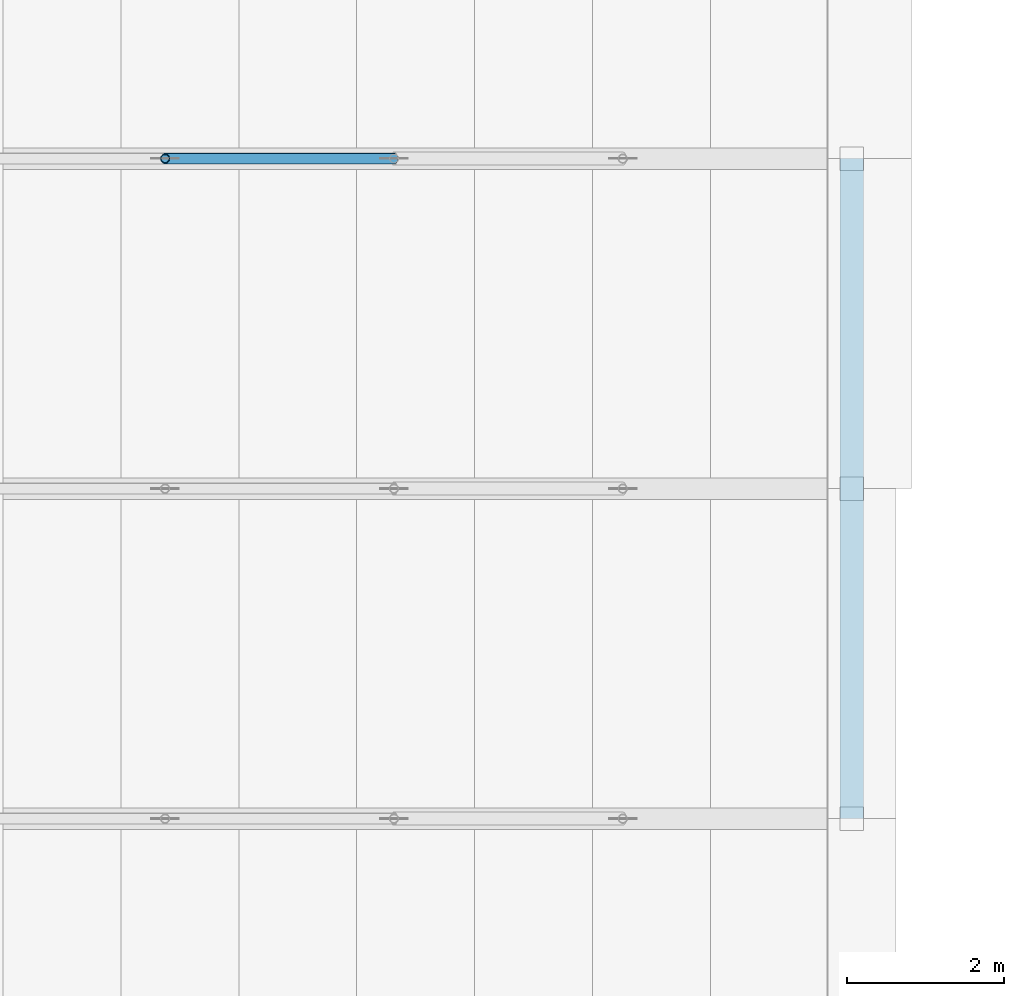
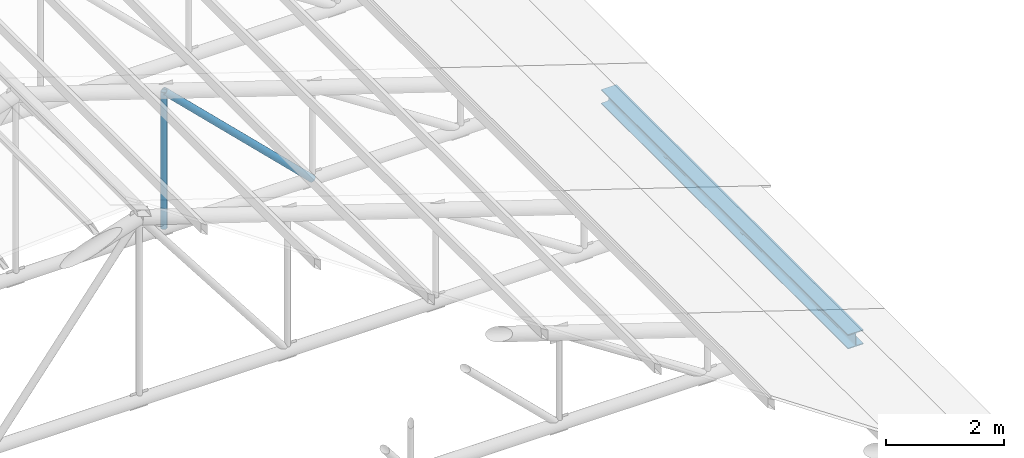
# One storey, part 30 of 95: 2 members, 1 beam.
"""IFC4 building model written with IfcOpenShell, lengths in metres."""

import ifcopenshell
import ifcopenshell.guid

model = None  # the IFC model being written
_history = None  # IfcOwnerHistory: only IFC2X3 demands one
_inside = {}  # id of a spatial element -> (the spatial element, [elements in it])
_under = {}  # id of a project, library or spatial element -> (it, [spatial elements below it])
_declared = {}  # id of a project -> (the project, [libraries it declares])
_typed = {}  # id of a type object -> (the type object, [elements of that type])
_made_of = {}  # id of a material, layer set ... -> (it, [elements and type objects made of it])


def new_model(schema):
    """Start an empty IFC model of exactly this schema.

    Asked for "IFC4X3", IfcOpenShell would pick the latest addendum, in which some entities
    have other attributes; the version numbers below select the first issue.
    IFC2X3 requires an IfcOwnerHistory on every rooted entity: one is made here for all.
    """
    global model, _history
    if schema == "IFC4X3":
        model = ifcopenshell.file(schema_version=(4, 3, 0, 0))
    else:
        model = ifcopenshell.file(schema=schema)
    _inside.clear()
    _under.clear()
    _declared.clear()
    _typed.clear()
    _made_of.clear()
    _history = None
    if model.schema == "IFC2X3":
        org = make("IfcOrganization", Name="unknown")
        user = make(
            "IfcPersonAndOrganization",
            ThePerson=make("IfcPerson", FamilyName="unknown"),
            TheOrganization=org,
        )
        app = make(
            "IfcApplication",
            ApplicationDeveloper=org,
            Version="unknown",
            ApplicationFullName="unknown",
            ApplicationIdentifier="unknown",
        )
        _history = make(
            "IfcOwnerHistory",
            OwningUser=user,
            OwningApplication=app,
            ChangeAction="ADDED",
            CreationDate=0,
        )
    return model


def make(cls, **values):
    """One entity of the class cls with the attributes given. An attribute that is None is left unset."""
    return model.create_entity(
        cls, **{name: value for name, value in values.items() if value is not None}
    )


def rooted(cls, **values):
    """An entity with a GlobalId (a new one), such as an element, a storey or a relation."""
    return make(cls, GlobalId=ifcopenshell.guid.new(), OwnerHistory=_history, **values)


def si_unit(unit_type, name, prefix=None):
    """IfcSIUnit, for example si_unit("LENGTHUNIT", "METRE", prefix="MILLI")."""
    return make("IfcSIUnit", UnitType=unit_type, Prefix=prefix, Name=name)


def assignment(units):
    """IfcUnitAssignment: the units of a project."""
    return None if units is None else make("IfcUnitAssignment", Units=units)


def point(xyz):
    """IfcCartesianPoint."""
    return None if xyz is None else make("IfcCartesianPoint", Coordinates=xyz)


def direction(xyz):
    """IfcDirection."""
    return None if xyz is None else make("IfcDirection", DirectionRatios=xyz)


def frame(location, z_axis=None, x_axis=None):
    """IfcAxis2Placement3D, a coordinate frame: its origin and axes. An axis left out is left unset."""
    return make(
        "IfcAxis2Placement3D",
        Location=point(location),
        Axis=direction(z_axis),
        RefDirection=direction(x_axis),
    )


def frame_2d(location, x_axis=None):
    """IfcAxis2Placement2D, a coordinate frame in the plane: its origin and x axis."""
    return make(
        "IfcAxis2Placement2D", Location=point(location), RefDirection=direction(x_axis)
    )


def origin():
    """The frame at (0, 0, 0) with its axes left unset."""
    return frame((0.0, 0.0, 0.0))


def origin_2d():
    """The frame at (0, 0) in the plane with its x axis left unset."""
    return frame_2d((0.0, 0.0))


def place(relative_to, where):
    """IfcLocalPlacement: puts the frame where relative to a parent placement (None: the world)."""
    return make(
        "IfcLocalPlacement", PlacementRelTo=relative_to, RelativePlacement=where
    )


def context(
    kind, dimensions, precision=None, world=None, true_north=None, identifier=None
):
    """IfcGeometricRepresentationContext, for example the 3D "Model" context."""
    return make(
        "IfcGeometricRepresentationContext",
        ContextIdentifier=identifier,
        ContextType=kind,
        CoordinateSpaceDimension=dimensions,
        Precision=precision,
        WorldCoordinateSystem=world,
        TrueNorth=true_north,
    )


def subcontext(parent, identifier, kind, view, scale=None):
    """IfcGeometricRepresentationSubContext, for example "Body" below "Model"."""
    return make(
        "IfcGeometricRepresentationSubContext",
        ContextIdentifier=identifier,
        ContextType=kind,
        ParentContext=parent,
        TargetScale=scale,
        TargetView=view,
    )


def project(units=None, contexts=None):
    """IfcProject with its units and contexts."""
    return rooted(
        "IfcProject",
        Name="project",
        RepresentationContexts=contexts,
        UnitsInContext=assignment(units),
    )


def spatial(cls, under=None, at=None, **own):
    """A site, building, storey or space (cls), placed at a placement, below another one or the project."""
    s = rooted(cls, ObjectPlacement=at, **own)
    if under is not None:
        _under.setdefault(under.id(), (under, []))[1].append(s)
    return s


def profile(cls, at=None, kind="AREA", **sizes):
    """A parametric profile (cls). Its sizes go by their IFC names, for example OverallWidth=200.0."""
    return make(cls, ProfileType=kind, Position=at, **sizes)


def hollow_circle(**sizes):
    """IfcCircleHollowProfileDef."""
    return profile("IfcCircleHollowProfileDef", **sizes)


def i_section(**sizes):
    """IfcIShapeProfileDef."""
    return profile("IfcIShapeProfileDef", **sizes)


def extrude(swept, where, along, depth):
    """IfcExtrudedAreaSolid: the profile swept, set in the frame where, extruded along a direction by depth."""
    return make(
        "IfcExtrudedAreaSolid",
        SweptArea=swept,
        Position=where,
        ExtrudedDirection=direction(along),
        Depth=depth,
    )


def shape(context_of_items, identifier, shape_type, items):
    """IfcShapeRepresentation: the items that make up one representation, for example the "Body"."""
    return make(
        "IfcShapeRepresentation",
        ContextOfItems=context_of_items,
        RepresentationIdentifier=identifier,
        RepresentationType=shape_type,
        Items=items,
    )


def material(Name=None, Category=None):
    """IfcMaterial."""
    return make("IfcMaterial", Name=Name, Category=Category)


def material_profile(
    of_material, cross_section, Name=None, Category=None, Priority=None
):
    """IfcMaterialProfile: a cross section and its material."""
    return make(
        "IfcMaterialProfile",
        Name=Name,
        Material=of_material,
        Profile=cross_section,
        Priority=Priority,
        Category=Category,
    )


def profile_set(profiles, Name=None, composite=None):
    """IfcMaterialProfileSet."""
    return make(
        "IfcMaterialProfileSet",
        Name=Name,
        MaterialProfiles=profiles,
        CompositeProfile=composite,
    )


def made_of(thing, what):
    """Note that an element or type object is made of a material, layer set ...; save() writes the relation."""
    if what is not None:
        _made_of.setdefault(what.id(), (what, []))[1].append(thing)
    return thing


def type_object(cls, material=None, **own):
    """A type object (cls), such as IfcWallType, which elements share."""
    return made_of(rooted(cls, **own), material)


def element(
    cls,
    number,
    at=None,
    inside=None,
    cuts=None,
    type_object=None,
    material=None,
    context=None,
    identifier="Body",
    shape_type=None,
    held_by="IfcProductDefinitionShape",
    body=None,
    shapes=None,
    **own,
):
    """One element of the class cls, such as IfcWall. Its Tag is "e" and its number.

    at: its placement. inside: the storey or other place that contains it. cuts: it is an
    opening in that element (IfcRelVoidsElement). A single representation is given by context,
    identifier, shape_type and body (its items); several are given by shapes. held_by: the class
    of the entity that holds the representations. save() writes the other relations.
    """
    e = rooted(cls, Tag="e%d" % number, ObjectPlacement=at, **own)
    if body is not None:
        shapes = [shape(context, identifier, shape_type, body)]
    if shapes is not None:
        e.Representation = make(held_by, Representations=shapes)
    if inside is not None:
        _inside.setdefault(inside.id(), (inside, []))[1].append(e)
    if cuts is not None:
        rooted(
            "IfcRelVoidsElement", RelatingBuildingElement=cuts, RelatedOpeningElement=e
        )
    if type_object is not None:
        _typed.setdefault(type_object.id(), (type_object, []))[1].append(e)
    return made_of(e, material)


def aggregate(whole, parts):
    """IfcRelAggregates: a whole, such as a stair, and the parts it consists of."""
    return rooted("IfcRelAggregates", RelatingObject=whole, RelatedObjects=parts)


def save(model, path):
    """Write the relations noted so far, then the file.

    IfcRelAggregates (storeys below a building ...), IfcRelContainedInSpatialStructure (elements
    in a storey), IfcRelDefinesByType, IfcRelAssociatesMaterial and IfcRelDeclares: one each for
    every whole, place, type object, material and project.
    """
    for whole, parts in _under.values():
        aggregate(whole, parts)
    for where, things in _inside.values():
        rooted(
            "IfcRelContainedInSpatialStructure",
            RelatedElements=things,
            RelatingStructure=where,
        )
    for kind, things in _typed.values():
        rooted("IfcRelDefinesByType", RelatedObjects=things, RelatingType=kind)
    for what, things in _made_of.values():
        rooted("IfcRelAssociatesMaterial", RelatedObjects=things, RelatingMaterial=what)
    for by, libraries in _declared.values():
        rooted("IfcRelDeclares", RelatingContext=by, RelatedDefinitions=libraries)
    model.write(path)


model = new_model("IFC4")

# Units and contexts
model_context = context("Model", 3, precision=1e-05, world=origin(), true_north=direction((0.0, 1.0)))
body_context = subcontext(model_context, "Body", "Model", "MODEL_VIEW")
ifc_project = project(units=[si_unit("LENGTHUNIT", "METRE"), si_unit("AREAUNIT", "SQUARE_METRE"), si_unit("VOLUMEUNIT", "CUBIC_METRE"), si_unit("PLANEANGLEUNIT", "RADIAN"), si_unit("MASSUNIT", "GRAM", prefix="KILO")], contexts=[model_context])

# Site, building, storey
site_placement = place(None, origin())
site = spatial("IfcSite", under=ifc_project, at=site_placement, CompositionType="ELEMENT")
building_placement = place(site_placement, origin())
building = spatial("IfcBuilding", under=site, at=building_placement, Name="Kiln Court Media Centre", CompositionType="ELEMENT")
storey_placement = place(building_placement, frame((0.0, 0.0, 24.60009765625)))
storey = spatial("IfcBuildingStorey", under=building, at=storey_placement, Name="L05", CompositionType="ELEMENT", Elevation=24.60009765625)

# Members
ifc_material_1 = material(Name="Steel ASTM A500 Gr C", Category="steel")
ifc_material_profile_1 = material_profile(ifc_material_1, hollow_circle(Radius=0.05712890625, WallThickness=0.0048828125, at=origin_2d()), Name="CHS 114.3x5.0")
ifc_profile_set_1 = profile_set([ifc_material_profile_1], Name="Steel ASTM A500 Gr C")
member_type_1 = type_object("IfcMemberType", Name="Steel ASTM A500 Gr C CHS 114.3x5.0 truss web", PredefinedType="BRACE", material=ifc_profile_set_1)
member_1_placement = place(storey_placement, frame((49.3125, 42.0, -0.013916015625), z_axis=(0.0, 0.0, 1.0), x_axis=(1.0, 0.0, 0.0)))
element("IfcMember", 1, at=member_1_placement, inside=storey, type_object=member_type_1, Name="foyer truss FT-05 post 5 truss web", PredefinedType="BRACE", context=body_context, shape_type="SweptSolid", body=[
    extrude(hollow_circle(Radius=0.05712890625, WallThickness=0.0048828125, at=origin_2d()), origin(), (0.0, 0.0, 1.0), 2.839111328125),
])
ifc_material_2 = material(Name="Steel ASTM A500 Gr C", Category="steel")
ifc_material_profile_2 = material_profile(ifc_material_2, hollow_circle(Radius=0.06982421875, WallThickness=0.0048828125, at=origin_2d()), Name="CHS 139.7x5.0")
ifc_profile_set_2 = profile_set([ifc_material_profile_2], Name="Steel ASTM A500 Gr C")
member_type_2 = type_object("IfcMemberType", Name="Steel ASTM A500 Gr C CHS 139.7x5.0 truss web", PredefinedType="BRACE", material=ifc_profile_set_2)
member_2_placement = place(storey_placement, frame((49.3125, 42.0, 2.8251953125), z_axis=(0.716082640751, 0.0, -0.69801550958), x_axis=(0.0, 1.0, 0.0)))
element("IfcMember", 2, at=member_2_placement, inside=storey, type_object=member_type_2, Name="foyer truss FT-05 diagonal 6 truss web", PredefinedType="BRACE", context=body_context, shape_type="SweptSolid", body=[
    extrude(hollow_circle(Radius=0.06982421875, WallThickness=0.0048828125, at=origin_2d()), origin(), (0.0, 0.0, 1.0), 4.0673828125),
])

# Beam
ifc_material_3 = material(Name="Steel ASTM A572 Gr 50", Category="steel")
ifc_material_profile_3 = material_profile(ifc_material_3, i_section(OverallWidth=0.300048828125, OverallDepth=0.300048828125, WebThickness=0.010986328125, FlangeThickness=0.01904296875, FilletRadius=0.027099609375, at=origin_2d()), Name="HE 300 B")
ifc_profile_set_3 = profile_set([ifc_material_profile_3], Name="Steel ASTM A572 Gr 50")
beam_type = type_object("IfcBeamType", Name="Steel ASTM A572 Gr 50 HE 300 B foyer eaves girder", PredefinedType="BEAM", material=ifc_profile_set_3)
beam_placement = place(storey_placement, frame((58.050048828125, 33.60009765625, -0.300048828125), z_axis=(0.0, 1.0, 0.0), x_axis=(-1.0, 0.0, 0.0)))
element("IfcBeam", 3, at=beam_placement, inside=storey, type_object=beam_type, Name="foyer eaves girder at x 58.05 foyer eaves girder", PredefinedType="BEAM", context=body_context, shape_type="SweptSolid", body=[
    extrude(i_section(OverallWidth=0.300048828125, OverallDepth=0.300048828125, WebThickness=0.010986328125, FlangeThickness=0.01904296875, FilletRadius=0.027099609375, at=origin_2d()), origin(), (0.0, 0.0, 1.0), 8.39990234375),
])

save(model, "model.ifc")
